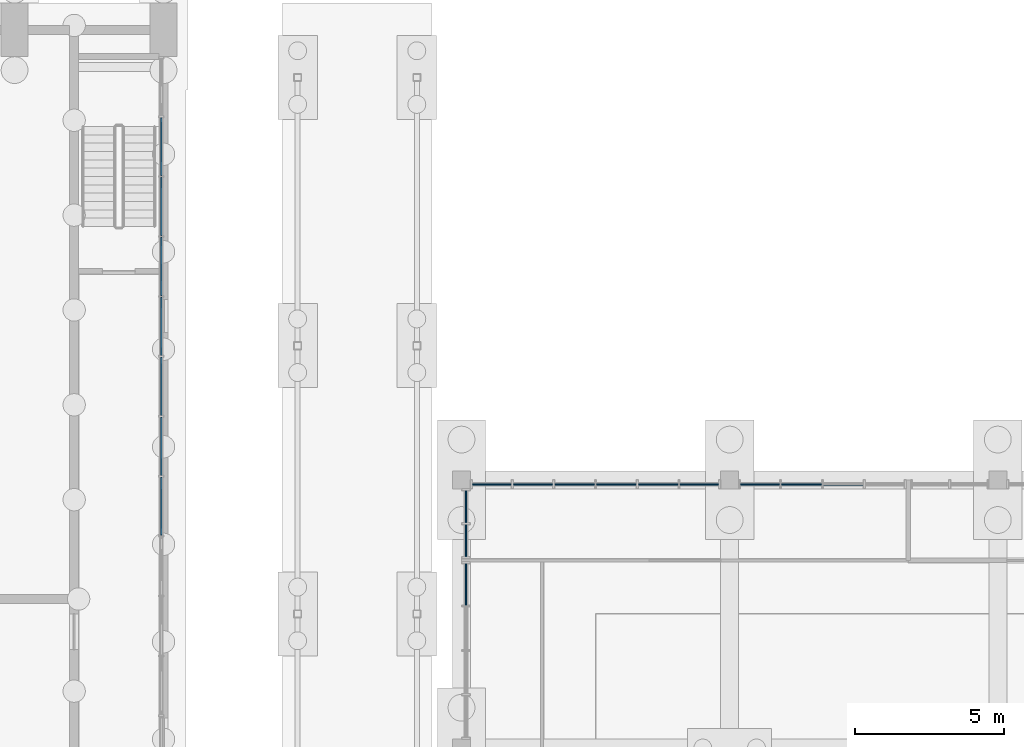
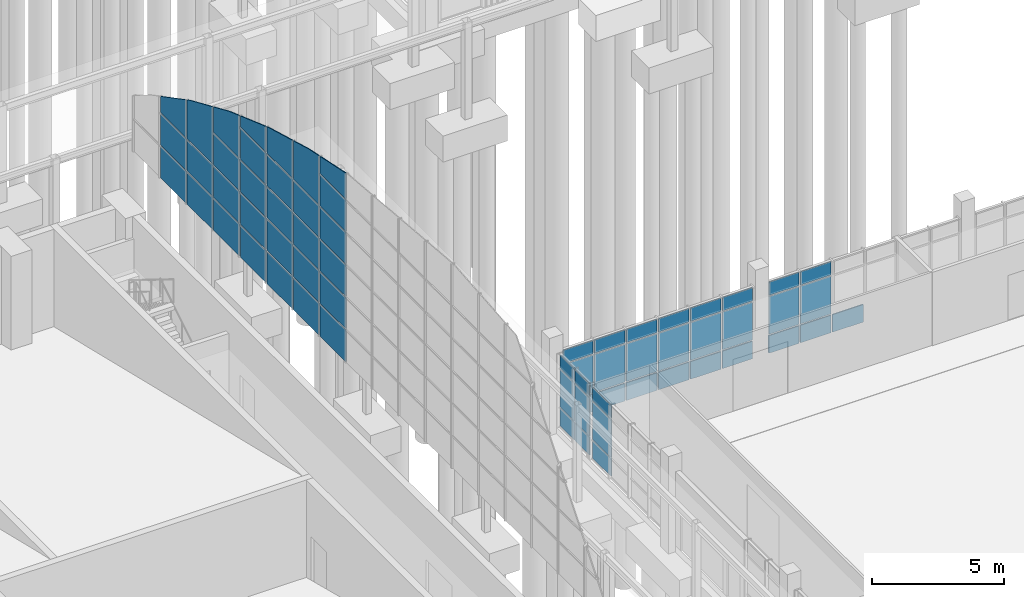
# One storey, part 56 of 106: 65 plates, 5 elements without a shape of their own.
"""IFC4 building model written with IfcOpenShell, lengths in metres."""

from ifc_helpers import new_model, si_unit, direction, frame, origin, origin_2d, place, context, subcontext, project, spatial, polyline, rectangle, outline, extrude, material, layer, layer_set, type_object, element, aggregate, save


model = new_model("IFC4")

# Units and contexts
model_context = context("Model", 3, precision=1e-05, world=origin(), true_north=direction((0.0, 1.0)))
body_context = subcontext(model_context, "Body", "Model", "MODEL_VIEW")
ifc_project = project(units=[si_unit("LENGTHUNIT", "METRE"), si_unit("AREAUNIT", "SQUARE_METRE"), si_unit("VOLUMEUNIT", "CUBIC_METRE"), si_unit("PLANEANGLEUNIT", "RADIAN"), si_unit("MASSUNIT", "GRAM", prefix="KILO")], contexts=[model_context])

# Site, building, storey
site_placement = place(None, origin())
site = spatial("IfcSite", under=ifc_project, at=site_placement, CompositionType="ELEMENT")
building_placement = place(site_placement, origin())
building = spatial("IfcBuilding", under=site, at=building_placement, Name="Merrow Basin Faculty of Sciences", CompositionType="ELEMENT")
storey_placement = place(building_placement, origin())
storey = spatial("IfcBuildingStorey", under=building, at=storey_placement, Name="L00", CompositionType="ELEMENT", Elevation=0.0)

# Curtain wall, plate
ifc_material_1 = material(Name="Aluminium alloy 6063", Category="aluminium")
curtain_wall_type_1 = type_object("IfcCurtainWallType", Name="Atrium concourse curtain wall 300", PredefinedType="NOTDEFINED", material=ifc_material_1)
curtain_wall_1_placement = place(storey_placement, origin())
curtain_wall_1 = element("IfcCurtainWall", 1, at=curtain_wall_1_placement, inside=storey, type_object=curtain_wall_type_1, Name="W curtain wall L00 4", PredefinedType="NOTDEFINED")
ifc_material_2 = material(Name="Insulated aluminium spandrel panel", Category="aluminium")
ifc_layer_1 = layer(ifc_material_2, 0.052001953125)
ifc_layer_set_1 = layer_set([ifc_layer_1], Name="Insulated spandrel panel 52")
plate_type_1 = type_object("IfcPlateType", Name="Insulated spandrel panel 52", PredefinedType="CURTAIN_PANEL", material=ifc_layer_set_1)
plate_1_placement = place(storey_placement, frame((45.14990234375, 32.4912109375, 0.06005859375), z_axis=(0.0, 0.0, 1.0), x_axis=(0.0, 1.0, 0.0)))
plate_1 = element("IfcPlate", 2, at=plate_1_placement, type_object=plate_type_1, Name="CW6 panel 4.1", PredefinedType="CURTAIN_PANEL", context=body_context, shape_type="SweptSolid", body=[
    extrude(rectangle(XDim=1.3974609375, YDim=0.052001953125, at=origin_2d()), origin(), (0.0, 0.0, 1.0), 0.81005859375),
])

# Curtain wall, plates
curtain_wall_2_placement = place(storey_placement, origin())
curtain_wall_2 = element("IfcCurtainWall", 3, at=curtain_wall_2_placement, inside=storey, type_object=curtain_wall_type_1, Name="W curtain wall L00 5", PredefinedType="NOTDEFINED")
plate_2_placement = place(storey_placement, frame((45.14990234375, 33.952392578125, 0.06005859375), z_axis=(0.0, 0.0, 1.0), x_axis=(0.0, 1.0, 0.0)))
plate_2 = element("IfcPlate", 4, at=plate_2_placement, type_object=plate_type_1, Name="CW6 panel 1.1", PredefinedType="CURTAIN_PANEL", context=body_context, shape_type="SweptSolid", body=[
    extrude(rectangle(XDim=1.0849609375, YDim=0.052001953125, at=origin_2d()), origin(), (0.0, 0.0, 1.0), 0.81005859375),
])
plate_3_placement = place(storey_placement, frame((45.14990234375, 35.097412109375, 0.06005859375), z_axis=(0.0, 0.0, 1.0), x_axis=(0.0, 1.0, 0.0)))
plate_3 = element("IfcPlate", 5, at=plate_3_placement, type_object=plate_type_1, Name="CW6 panel 2.1", PredefinedType="CURTAIN_PANEL", context=body_context, shape_type="SweptSolid", body=[
    extrude(rectangle(XDim=1.0849609375, YDim=0.052001953125, at=origin_2d()), origin(), (0.0, 0.0, 1.0), 0.81005859375),
])

curtain_wall_3_placement = place(storey_placement, origin())
curtain_wall_3 = element("IfcCurtainWall", 6, at=curtain_wall_3_placement, inside=storey, type_object=curtain_wall_type_1, Name="N curtain wall L00 1", PredefinedType="NOTDEFINED")
plate_4_placement = place(storey_placement, frame((46.014892578125, 35.85009765625, 0.06005859375), z_axis=(0.0, 0.0, 1.0), x_axis=(1.0, 0.0, 0.0)))
plate_4 = element("IfcPlate", 7, at=plate_4_placement, type_object=plate_type_1, Name="CW6 panel 1.1", PredefinedType="CURTAIN_PANEL", context=body_context, shape_type="SweptSolid", body=[
    extrude(rectangle(XDim=1.31005859375, YDim=0.052001953125, at=origin_2d()), origin(), (0.0, 0.0, 1.0), 0.81005859375),
])
plate_5_placement = place(storey_placement, frame((47.39990234375, 35.85009765625, 0.06005859375), z_axis=(0.0, 0.0, 1.0), x_axis=(1.0, 0.0, 0.0)))
plate_5 = element("IfcPlate", 8, at=plate_5_placement, type_object=plate_type_1, Name="CW6 panel 2.1", PredefinedType="CURTAIN_PANEL", context=body_context, shape_type="SweptSolid", body=[
    extrude(rectangle(XDim=1.340087890625, YDim=0.052001953125, at=origin_2d()), origin(), (0.0, 0.0, 1.0), 0.81005859375),
])
plate_6_placement = place(storey_placement, frame((48.800048828125, 35.85009765625, 0.06005859375), z_axis=(0.0, 0.0, 1.0), x_axis=(1.0, 0.0, 0.0)))
plate_6 = element("IfcPlate", 9, at=plate_6_placement, type_object=plate_type_1, Name="CW6 panel 3.1", PredefinedType="CURTAIN_PANEL", context=body_context, shape_type="SweptSolid", body=[
    extrude(rectangle(XDim=1.340087890625, YDim=0.052001953125, at=origin_2d()), origin(), (0.0, 0.0, 1.0), 0.81005859375),
])
plate_7_placement = place(storey_placement, frame((50.199951171875, 35.85009765625, 0.06005859375), z_axis=(0.0, 0.0, 1.0), x_axis=(1.0, 0.0, 0.0)))
plate_7 = element("IfcPlate", 10, at=plate_7_placement, type_object=plate_type_1, Name="CW6 panel 4.1", PredefinedType="CURTAIN_PANEL", context=body_context, shape_type="SweptSolid", body=[
    extrude(rectangle(XDim=1.340087890625, YDim=0.052001953125, at=origin_2d()), origin(), (0.0, 0.0, 1.0), 0.81005859375),
])
plate_8_placement = place(storey_placement, frame((51.60009765625, 35.85009765625, 0.06005859375), z_axis=(0.0, 0.0, 1.0), x_axis=(1.0, 0.0, 0.0)))
plate_8 = element("IfcPlate", 11, at=plate_8_placement, type_object=plate_type_1, Name="CW6 panel 5.1", PredefinedType="CURTAIN_PANEL", context=body_context, shape_type="SweptSolid", body=[
    extrude(rectangle(XDim=1.340087890625, YDim=0.052001953125, at=origin_2d()), origin(), (0.0, 0.0, 1.0), 0.81005859375),
])
plate_9_placement = place(storey_placement, frame((52.985107421875, 35.85009765625, 0.06005859375), z_axis=(0.0, 0.0, 1.0), x_axis=(1.0, 0.0, 0.0)))
plate_9 = element("IfcPlate", 12, at=plate_9_placement, type_object=plate_type_1, Name="CW6 panel 6.1", PredefinedType="CURTAIN_PANEL", context=body_context, shape_type="SweptSolid", body=[
    extrude(rectangle(XDim=1.31005859375, YDim=0.052001953125, at=origin_2d()), origin(), (0.0, 0.0, 1.0), 0.81005859375),
])

curtain_wall_4_placement = place(storey_placement, origin())
curtain_wall_4 = element("IfcCurtainWall", 13, at=curtain_wall_4_placement, inside=storey, type_object=curtain_wall_type_1, Name="N curtain wall L00 2", PredefinedType="NOTDEFINED")
plate_10_placement = place(storey_placement, frame((55.01806640625, 35.85009765625, 0.06005859375), z_axis=(0.0, 0.0, 1.0), x_axis=(1.0, 0.0, 0.0)))
plate_10 = element("IfcPlate", 14, at=plate_10_placement, type_object=plate_type_1, Name="CW6 panel 1.1", PredefinedType="CURTAIN_PANEL", context=body_context, shape_type="SweptSolid", body=[
    extrude(rectangle(XDim=1.316162109375, YDim=0.052001953125, at=origin_2d()), origin(), (0.0, 0.0, 1.0), 0.81005859375),
])
plate_11_placement = place(storey_placement, frame((56.409423828125, 35.85009765625, 0.06005859375), z_axis=(0.0, 0.0, 1.0), x_axis=(1.0, 0.0, 0.0)))
plate_11 = element("IfcPlate", 15, at=plate_11_placement, type_object=plate_type_1, Name="CW6 panel 2.1", PredefinedType="CURTAIN_PANEL", context=body_context, shape_type="SweptSolid", body=[
    extrude(rectangle(XDim=1.34619140625, YDim=0.052001953125, at=origin_2d()), origin(), (0.0, 0.0, 1.0), 0.81005859375),
])
plate_12_placement = place(storey_placement, frame((57.815673828125, 35.85009765625, 0.06005859375), z_axis=(0.0, 0.0, 1.0), x_axis=(1.0, 0.0, 0.0)))
plate_12 = element("IfcPlate", 16, at=plate_12_placement, type_object=plate_type_1, Name="CW6 panel 3.1", PredefinedType="CURTAIN_PANEL", context=body_context, shape_type="SweptSolid", body=[
    extrude(rectangle(XDim=1.34619140625, YDim=0.052001953125, at=origin_2d()), origin(), (0.0, 0.0, 1.0), 0.81005859375),
])

ifc_material_3 = material(Name="Aluminium alloy 6063", Category="aluminium")
curtain_wall_type_2 = type_object("IfcCurtainWallType", Name="Arched curtain wall 160", PredefinedType="NOTDEFINED", material=ifc_material_3)
curtain_wall_5_placement = place(storey_placement, origin())
curtain_wall_5 = element("IfcCurtainWall", 17, at=curtain_wall_5_placement, inside=storey, type_object=curtain_wall_type_2, Name="East gable glazing C", PredefinedType="NOTDEFINED")
ifc_material_4 = material(Name="Laminated safety glass", Category="glass")
ifc_layer_2 = layer(ifc_material_4, 0.0400390625)
ifc_layer_set_2 = layer_set([ifc_layer_2], Name="Laminated overhead glazing panel 40")
plate_type_2 = type_object("IfcPlateType", Name="Laminated overhead glazing panel 40", PredefinedType="CURTAIN_PANEL", material=ifc_layer_set_2)
plate_13_placement = place(storey_placement, frame((34.89990234375, 34.14111328125, 7.5), z_axis=(1.0, 0.0, 0.0), x_axis=(0.0, 1.0, 0.0)))
plate_13 = element("IfcPlate", 18, at=plate_13_placement, type_object=plate_type_2, Name="CW4 panel 11.1", PredefinedType="CURTAIN_PANEL", context=body_context, shape_type="SweptSolid", body=[
    extrude(outline(polyline([(0.0, 0.0), (1.949951171875, 0.0), (1.949951171875, 1.469970703125), (0.0, 1.469970703125), (0.0, 0.0)])), origin(), (0.0, 0.0, 1.0), 0.0400390625),
])
plate_14_placement = place(storey_placement, frame((34.89990234375, 34.14111328125, 9.030029296875), z_axis=(1.0, 0.0, 0.0), x_axis=(0.0, 1.0, 0.0)))
plate_14 = element("IfcPlate", 19, at=plate_14_placement, type_object=plate_type_2, Name="CW4 panel 11.2", PredefinedType="CURTAIN_PANEL", context=body_context, shape_type="SweptSolid", body=[
    extrude(outline(polyline([(0.0, 0.0), (1.949951171875, 0.0), (1.949951171875, 1.43994140625), (0.0, 1.43994140625), (0.0, 0.0)])), origin(), (0.0, 0.0, 1.0), 0.0400390625),
])
plate_15_placement = place(storey_placement, frame((34.89990234375, 34.14111328125, 10.530029296875), z_axis=(1.0, 0.0, 0.0), x_axis=(0.0, 1.0, 0.0)))
plate_15 = element("IfcPlate", 20, at=plate_15_placement, type_object=plate_type_2, Name="CW4 panel 11.3", PredefinedType="CURTAIN_PANEL", context=body_context, shape_type="SweptSolid", body=[
    extrude(outline(polyline([(0.0, 0.0), (1.949951171875, 0.0), (1.949951171875, 1.43994140625), (0.0, 1.43994140625), (0.0, 0.0)])), origin(), (0.0, 0.0, 1.0), 0.0400390625),
])
plate_16_placement = place(storey_placement, frame((34.89990234375, 34.14111328125, 12.030029296875), z_axis=(1.0, 0.0, 0.0), x_axis=(0.0, 1.0, 0.0)))
plate_16 = element("IfcPlate", 21, at=plate_16_placement, type_object=plate_type_2, Name="CW4 panel 11.4", PredefinedType="CURTAIN_PANEL", context=body_context, shape_type="SweptSolid", body=[
    extrude(outline(polyline([(0.0, 0.0), (1.949951171875, 0.0), (1.949951171875, 1.43994140625), (0.0, 1.43994140625), (0.0, 0.0)])), origin(), (0.0, 0.0, 1.0), 0.0400390625),
])
plate_17_placement = place(storey_placement, frame((34.89990234375, 34.14111328125, 13.530029296875), z_axis=(1.0, 0.0, 0.0), x_axis=(0.0, 1.0, 0.0)))
plate_17 = element("IfcPlate", 22, at=plate_17_placement, type_object=plate_type_2, Name="CW4 panel 11.5", PredefinedType="CURTAIN_PANEL", context=body_context, shape_type="SweptSolid", body=[
    extrude(outline(polyline([(0.0, 0.0), (1.949951171875, 0.0), (1.949951171875, 1.43994140625), (0.0, 1.43994140625), (0.0, 0.0)])), origin(), (0.0, 0.0, 1.0), 0.0400390625),
])
plate_18_placement = place(storey_placement, frame((34.89990234375, 34.14111328125, 15.030029296875), z_axis=(1.0, 0.0, 0.0), x_axis=(0.0, 1.0, 0.0)))
plate_18 = element("IfcPlate", 23, at=plate_18_placement, type_object=plate_type_2, Name="CW4 panel 11.top", PredefinedType="CURTAIN_PANEL", context=body_context, shape_type="SweptSolid", body=[
    extrude(outline(polyline([(0.0, 0.0), (1.950927734375, 0.0), (1.950927734375, 0.780029296875), (0.0, 1.18798828125), (0.0, 0.0)])), origin(), (0.0, 0.0, 1.0), 0.0400390625),
])
plate_19_placement = place(storey_placement, frame((34.89990234375, 36.152099609375, 7.5), z_axis=(1.0, 0.0, 0.0), x_axis=(0.0, 1.0, 0.0)))
plate_19 = element("IfcPlate", 24, at=plate_19_placement, type_object=plate_type_2, Name="CW4 panel 12.1", PredefinedType="CURTAIN_PANEL", context=body_context, shape_type="SweptSolid", body=[
    extrude(outline(polyline([(0.0, 0.0), (1.949951171875, 0.0), (1.949951171875, 1.469970703125), (0.0, 1.469970703125), (0.0, 0.0)])), origin(), (0.0, 0.0, 1.0), 0.0400390625),
])
plate_20_placement = place(storey_placement, frame((34.89990234375, 36.152099609375, 9.030029296875), z_axis=(1.0, 0.0, 0.0), x_axis=(0.0, 1.0, 0.0)))
plate_20 = element("IfcPlate", 25, at=plate_20_placement, type_object=plate_type_2, Name="CW4 panel 12.2", PredefinedType="CURTAIN_PANEL", context=body_context, shape_type="SweptSolid", body=[
    extrude(outline(polyline([(0.0, 0.0), (1.949951171875, 0.0), (1.949951171875, 1.43994140625), (0.0, 1.43994140625), (0.0, 0.0)])), origin(), (0.0, 0.0, 1.0), 0.0400390625),
])
plate_21_placement = place(storey_placement, frame((34.89990234375, 36.152099609375, 10.530029296875), z_axis=(1.0, 0.0, 0.0), x_axis=(0.0, 1.0, 0.0)))
plate_21 = element("IfcPlate", 26, at=plate_21_placement, type_object=plate_type_2, Name="CW4 panel 12.3", PredefinedType="CURTAIN_PANEL", context=body_context, shape_type="SweptSolid", body=[
    extrude(outline(polyline([(0.0, 0.0), (1.949951171875, 0.0), (1.949951171875, 1.43994140625), (0.0, 1.43994140625), (0.0, 0.0)])), origin(), (0.0, 0.0, 1.0), 0.0400390625),
])
plate_22_placement = place(storey_placement, frame((34.89990234375, 36.152099609375, 12.030029296875), z_axis=(1.0, 0.0, 0.0), x_axis=(0.0, 1.0, 0.0)))
plate_22 = element("IfcPlate", 27, at=plate_22_placement, type_object=plate_type_2, Name="CW4 panel 12.4", PredefinedType="CURTAIN_PANEL", context=body_context, shape_type="SweptSolid", body=[
    extrude(outline(polyline([(0.0, 0.0), (1.949951171875, 0.0), (1.949951171875, 1.43994140625), (0.0, 1.43994140625), (0.0, 0.0)])), origin(), (0.0, 0.0, 1.0), 0.0400390625),
])
plate_23_placement = place(storey_placement, frame((34.89990234375, 36.152099609375, 13.530029296875), z_axis=(1.0, 0.0, 0.0), x_axis=(0.0, 1.0, 0.0)))
plate_23 = element("IfcPlate", 28, at=plate_23_placement, type_object=plate_type_2, Name="CW4 panel 12.top", PredefinedType="CURTAIN_PANEL", context=body_context, shape_type="SweptSolid", body=[
    extrude(outline(polyline([(0.0, 0.0), (1.950927734375, 0.0), (1.950927734375, 1.779052734375), (0.81201171875, 2.097900390625), (0.0, 2.26806640625), (0.0, 0.0)])), origin(), (0.0, 0.0, 1.0), 0.0400390625),
])
plate_24_placement = place(storey_placement, frame((34.89990234375, 38.1630859375, 7.5), z_axis=(1.0, 0.0, 0.0), x_axis=(0.0, 1.0, 0.0)))
plate_24 = element("IfcPlate", 29, at=plate_24_placement, type_object=plate_type_2, Name="CW4 panel 13.1", PredefinedType="CURTAIN_PANEL", context=body_context, shape_type="SweptSolid", body=[
    extrude(outline(polyline([(0.0, 0.0), (1.949951171875, 0.0), (1.949951171875, 1.469970703125), (0.0, 1.469970703125), (0.0, 0.0)])), origin(), (0.0, 0.0, 1.0), 0.0400390625),
])
plate_25_placement = place(storey_placement, frame((34.89990234375, 38.1630859375, 9.030029296875), z_axis=(1.0, 0.0, 0.0), x_axis=(0.0, 1.0, 0.0)))
plate_25 = element("IfcPlate", 30, at=plate_25_placement, type_object=plate_type_2, Name="CW4 panel 13.2", PredefinedType="CURTAIN_PANEL", context=body_context, shape_type="SweptSolid", body=[
    extrude(outline(polyline([(0.0, 0.0), (1.949951171875, 0.0), (1.949951171875, 1.43994140625), (0.0, 1.43994140625), (0.0, 0.0)])), origin(), (0.0, 0.0, 1.0), 0.0400390625),
])
plate_26_placement = place(storey_placement, frame((34.89990234375, 38.1630859375, 10.530029296875), z_axis=(1.0, 0.0, 0.0), x_axis=(0.0, 1.0, 0.0)))
plate_26 = element("IfcPlate", 31, at=plate_26_placement, type_object=plate_type_2, Name="CW4 panel 13.3", PredefinedType="CURTAIN_PANEL", context=body_context, shape_type="SweptSolid", body=[
    extrude(outline(polyline([(0.0, 0.0), (1.949951171875, 0.0), (1.949951171875, 1.43994140625), (0.0, 1.43994140625), (0.0, 0.0)])), origin(), (0.0, 0.0, 1.0), 0.0400390625),
])
plate_27_placement = place(storey_placement, frame((34.89990234375, 38.1630859375, 12.030029296875), z_axis=(1.0, 0.0, 0.0), x_axis=(0.0, 1.0, 0.0)))
plate_27 = element("IfcPlate", 32, at=plate_27_placement, type_object=plate_type_2, Name="CW4 panel 13.4", PredefinedType="CURTAIN_PANEL", context=body_context, shape_type="SweptSolid", body=[
    extrude(outline(polyline([(0.0, 0.0), (1.949951171875, 0.0), (1.949951171875, 1.43994140625), (0.0, 1.43994140625), (0.0, 0.0)])), origin(), (0.0, 0.0, 1.0), 0.0400390625),
])
plate_28_placement = place(storey_placement, frame((34.89990234375, 38.1630859375, 13.530029296875), z_axis=(1.0, 0.0, 0.0), x_axis=(0.0, 1.0, 0.0)))
plate_28 = element("IfcPlate", 33, at=plate_28_placement, type_object=plate_type_2, Name="CW4 panel 13.top", PredefinedType="CURTAIN_PANEL", context=body_context, shape_type="SweptSolid", body=[
    extrude(outline(polyline([(0.0, 0.0), (1.950927734375, 0.0), (1.950927734375, 1.2041015625), (1.791015625, 1.260986328125), (0.0, 1.761962890625), (0.0, 0.0)])), origin(), (0.0, 0.0, 1.0), 0.0400390625),
])
plate_29_placement = place(storey_placement, frame((34.89990234375, 40.174072265625, 7.5), z_axis=(1.0, 0.0, 0.0), x_axis=(0.0, 1.0, 0.0)))
plate_29 = element("IfcPlate", 34, at=plate_29_placement, type_object=plate_type_2, Name="CW4 panel 14.1", PredefinedType="CURTAIN_PANEL", context=body_context, shape_type="SweptSolid", body=[
    extrude(outline(polyline([(0.0, 0.0), (1.949951171875, 0.0), (1.949951171875, 1.469970703125), (0.0, 1.469970703125), (0.0, 0.0)])), origin(), (0.0, 0.0, 1.0), 0.0400390625),
])
plate_30_placement = place(storey_placement, frame((34.89990234375, 40.174072265625, 9.030029296875), z_axis=(1.0, 0.0, 0.0), x_axis=(0.0, 1.0, 0.0)))
plate_30 = element("IfcPlate", 35, at=plate_30_placement, type_object=plate_type_2, Name="CW4 panel 14.2", PredefinedType="CURTAIN_PANEL", context=body_context, shape_type="SweptSolid", body=[
    extrude(outline(polyline([(0.0, 0.0), (1.949951171875, 0.0), (1.949951171875, 1.43994140625), (0.0, 1.43994140625), (0.0, 0.0)])), origin(), (0.0, 0.0, 1.0), 0.0400390625),
])
plate_31_placement = place(storey_placement, frame((34.89990234375, 40.174072265625, 10.530029296875), z_axis=(1.0, 0.0, 0.0), x_axis=(0.0, 1.0, 0.0)))
plate_31 = element("IfcPlate", 36, at=plate_31_placement, type_object=plate_type_2, Name="CW4 panel 14.3", PredefinedType="CURTAIN_PANEL", context=body_context, shape_type="SweptSolid", body=[
    extrude(outline(polyline([(0.0, 0.0), (1.949951171875, 0.0), (1.949951171875, 1.43994140625), (0.0, 1.43994140625), (0.0, 0.0)])), origin(), (0.0, 0.0, 1.0), 0.0400390625),
])
plate_32_placement = place(storey_placement, frame((34.89990234375, 40.174072265625, 12.030029296875), z_axis=(1.0, 0.0, 0.0), x_axis=(0.0, 1.0, 0.0)))
plate_32 = element("IfcPlate", 37, at=plate_32_placement, type_object=plate_type_2, Name="CW4 panel 14.4", PredefinedType="CURTAIN_PANEL", context=body_context, shape_type="SweptSolid", body=[
    extrude(outline(polyline([(0.0, 0.0), (1.949951171875, 0.0), (1.949951171875, 1.43994140625), (0.0, 1.43994140625), (0.0, 0.0)])), origin(), (0.0, 0.0, 1.0), 0.0400390625),
])
plate_33_placement = place(storey_placement, frame((34.89990234375, 40.174072265625, 13.530029296875), z_axis=(1.0, 0.0, 0.0), x_axis=(0.0, 1.0, 0.0)))
plate_33 = element("IfcPlate", 38, at=plate_33_placement, type_object=plate_type_2, Name="CW4 panel 14.top", PredefinedType="CURTAIN_PANEL", context=body_context, shape_type="SweptSolid", body=[
    extrude(outline(polyline([(0.0, 0.0), (1.950927734375, 0.0), (1.950927734375, 0.490966796875), (0.0, 1.18310546875), (0.0, 0.0)])), origin(), (0.0, 0.0, 1.0), 0.0400390625),
])
plate_34_placement = place(storey_placement, frame((34.89990234375, 42.18603515625, 7.5), z_axis=(1.0, 0.0, 0.0), x_axis=(0.0, 1.0, 0.0)))
plate_34 = element("IfcPlate", 39, at=plate_34_placement, type_object=plate_type_2, Name="CW4 panel 15.1", PredefinedType="CURTAIN_PANEL", context=body_context, shape_type="SweptSolid", body=[
    extrude(outline(polyline([(0.0, 0.0), (1.949951171875, 0.0), (1.949951171875, 1.469970703125), (0.0, 1.469970703125), (0.0, 0.0)])), origin(), (0.0, 0.0, 1.0), 0.0400390625),
])
plate_35_placement = place(storey_placement, frame((34.89990234375, 42.18603515625, 9.030029296875), z_axis=(1.0, 0.0, 0.0), x_axis=(0.0, 1.0, 0.0)))
plate_35 = element("IfcPlate", 40, at=plate_35_placement, type_object=plate_type_2, Name="CW4 panel 15.2", PredefinedType="CURTAIN_PANEL", context=body_context, shape_type="SweptSolid", body=[
    extrude(outline(polyline([(0.0, 0.0), (1.949951171875, 0.0), (1.949951171875, 1.43994140625), (0.0, 1.43994140625), (0.0, 0.0)])), origin(), (0.0, 0.0, 1.0), 0.0400390625),
])
plate_36_placement = place(storey_placement, frame((34.89990234375, 42.18603515625, 10.530029296875), z_axis=(1.0, 0.0, 0.0), x_axis=(0.0, 1.0, 0.0)))
plate_36 = element("IfcPlate", 41, at=plate_36_placement, type_object=plate_type_2, Name="CW4 panel 15.3", PredefinedType="CURTAIN_PANEL", context=body_context, shape_type="SweptSolid", body=[
    extrude(outline(polyline([(0.0, 0.0), (1.949951171875, 0.0), (1.949951171875, 1.43994140625), (0.0, 1.43994140625), (0.0, 0.0)])), origin(), (0.0, 0.0, 1.0), 0.0400390625),
])
plate_37_placement = place(storey_placement, frame((34.89990234375, 42.18603515625, 12.030029296875), z_axis=(1.0, 0.0, 0.0), x_axis=(0.0, 1.0, 0.0)))
plate_37 = element("IfcPlate", 42, at=plate_37_placement, type_object=plate_type_2, Name="CW4 panel 15.top", PredefinedType="CURTAIN_PANEL", context=body_context, shape_type="SweptSolid", body=[
    extrude(outline(polyline([(0.0, 0.0), (1.950927734375, 0.0), (1.950927734375, 1.181884765625), (0.759033203125, 1.699951171875), (0.0, 1.968994140625), (0.0, 0.0)])), origin(), (0.0, 0.0, 1.0), 0.0400390625),
])
plate_38_placement = place(storey_placement, frame((34.89990234375, 44.197021484375, 7.5), z_axis=(1.0, 0.0, 0.0), x_axis=(0.0, 1.0, 0.0)))
plate_38 = element("IfcPlate", 43, at=plate_38_placement, type_object=plate_type_2, Name="CW4 panel 16.1", PredefinedType="CURTAIN_PANEL", context=body_context, shape_type="SweptSolid", body=[
    extrude(outline(polyline([(0.0, 0.0), (1.949951171875, 0.0), (1.949951171875, 1.469970703125), (0.0, 1.469970703125), (0.0, 0.0)])), origin(), (0.0, 0.0, 1.0), 0.0400390625),
])
plate_39_placement = place(storey_placement, frame((34.89990234375, 44.197021484375, 9.030029296875), z_axis=(1.0, 0.0, 0.0), x_axis=(0.0, 1.0, 0.0)))
plate_39 = element("IfcPlate", 44, at=plate_39_placement, type_object=plate_type_2, Name="CW4 panel 16.2", PredefinedType="CURTAIN_PANEL", context=body_context, shape_type="SweptSolid", body=[
    extrude(outline(polyline([(0.0, 0.0), (1.949951171875, 0.0), (1.949951171875, 1.43994140625), (0.0, 1.43994140625), (0.0, 0.0)])), origin(), (0.0, 0.0, 1.0), 0.0400390625),
])
plate_40_placement = place(storey_placement, frame((34.89990234375, 44.197021484375, 10.530029296875), z_axis=(1.0, 0.0, 0.0), x_axis=(0.0, 1.0, 0.0)))
plate_40 = element("IfcPlate", 45, at=plate_40_placement, type_object=plate_type_2, Name="CW4 panel 16.top", PredefinedType="CURTAIN_PANEL", context=body_context, shape_type="SweptSolid", body=[
    extrude(outline(polyline([(0.0, 0.0), (1.950927734375, 0.0), (1.950927734375, 1.7880859375), (1.739013671875, 1.89892578125), (0.0, 2.655029296875), (0.0, 0.0)])), origin(), (0.0, 0.0, 1.0), 0.0400390625),
])
plate_41_placement = place(storey_placement, frame((34.89990234375, 46.2080078125, 7.5), z_axis=(1.0, 0.0, 0.0), x_axis=(0.0, 1.0, 0.0)))
plate_41 = element("IfcPlate", 46, at=plate_41_placement, type_object=plate_type_2, Name="CW4 panel 17.1", PredefinedType="CURTAIN_PANEL", context=body_context, shape_type="SweptSolid", body=[
    extrude(outline(polyline([(0.0, 0.0), (1.949951171875, 0.0), (1.949951171875, 1.469970703125), (0.0, 1.469970703125), (0.0, 0.0)])), origin(), (0.0, 0.0, 1.0), 0.0400390625),
])
plate_42_placement = place(storey_placement, frame((34.89990234375, 46.2080078125, 9.030029296875), z_axis=(1.0, 0.0, 0.0), x_axis=(0.0, 1.0, 0.0)))
plate_42 = element("IfcPlate", 47, at=plate_42_placement, type_object=plate_type_2, Name="CW4 panel 17.2", PredefinedType="CURTAIN_PANEL", context=body_context, shape_type="SweptSolid", body=[
    extrude(outline(polyline([(0.0, 0.0), (1.949951171875, 0.0), (1.949951171875, 1.43994140625), (0.0, 1.43994140625), (0.0, 0.0)])), origin(), (0.0, 0.0, 1.0), 0.0400390625),
])
plate_43_placement = place(storey_placement, frame((34.89990234375, 46.2080078125, 10.530029296875), z_axis=(1.0, 0.0, 0.0), x_axis=(0.0, 1.0, 0.0)))
plate_43 = element("IfcPlate", 48, at=plate_43_placement, type_object=plate_type_2, Name="CW4 panel 17.top", PredefinedType="CURTAIN_PANEL", context=body_context, shape_type="SweptSolid", body=[
    extrude(outline(polyline([(0.0, 0.0), (1.950927734375, 0.0), (1.950927734375, 0.735107421875), (0.0, 1.756103515625), (0.0, 0.0)])), origin(), (0.0, 0.0, 1.0), 0.0400390625),
])
aggregate(curtain_wall_5, [plate_13, plate_14, plate_15, plate_16, plate_17, plate_18, plate_19, plate_20, plate_21, plate_22, plate_23, plate_24, plate_25, plate_26, plate_27, plate_28, plate_29, plate_30, plate_31, plate_32, plate_33, plate_34, plate_35, plate_36, plate_37, plate_38, plate_39, plate_40, plate_41, plate_42, plate_43])

# Plate
ifc_material_5 = material(Name="Low-E triple glazing", Category="glass")
ifc_layer_3 = layer(ifc_material_5, 0.0439453125)
ifc_layer_set_3 = layer_set([ifc_layer_3], Name="Triple glazed panel 44")
plate_type_3 = type_object("IfcPlateType", Name="Triple glazed panel 44", PredefinedType="CURTAIN_PANEL", material=ifc_layer_set_3)
plate_44_placement = place(storey_placement, frame((45.14990234375, 32.4912109375, 0.93017578125), z_axis=(0.0, 0.0, 1.0), x_axis=(0.0, 1.0, 0.0)))
plate_44 = element("IfcPlate", 49, at=plate_44_placement, type_object=plate_type_3, Name="CW6 panel 4.2", PredefinedType="CURTAIN_PANEL", context=body_context, shape_type="SweptSolid", body=[
    extrude(rectangle(XDim=1.3974609375, YDim=0.0439453125, at=origin_2d()), origin(), (0.0, 0.0, 1.0), 1.739990234375),
])

plate_45_placement = place(storey_placement, frame((45.14990234375, 32.4912109375, 2.72998046875), z_axis=(0.0, 0.0, 1.0), x_axis=(0.0, 1.0, 0.0)))
plate_45 = element("IfcPlate", 50, at=plate_45_placement, type_object=plate_type_3, Name="CW6 panel 4.3", PredefinedType="CURTAIN_PANEL", context=body_context, shape_type="SweptSolid", body=[
    extrude(rectangle(XDim=1.3974609375, YDim=0.0439453125, at=origin_2d()), origin(), (0.0, 0.0, 1.0), 0.610107421875),
])

aggregate(curtain_wall_1, [plate_1, plate_44, plate_45])

plate_46_placement = place(storey_placement, frame((45.14990234375, 33.952392578125, 0.93017578125), z_axis=(0.0, 0.0, 1.0), x_axis=(0.0, 1.0, 0.0)))
plate_46 = element("IfcPlate", 51, at=plate_46_placement, type_object=plate_type_3, Name="CW6 panel 1.2", PredefinedType="CURTAIN_PANEL", context=body_context, shape_type="SweptSolid", body=[
    extrude(rectangle(XDim=1.0849609375, YDim=0.0439453125, at=origin_2d()), origin(), (0.0, 0.0, 1.0), 1.739990234375),
])

plate_47_placement = place(storey_placement, frame((45.14990234375, 33.952392578125, 2.72998046875), z_axis=(0.0, 0.0, 1.0), x_axis=(0.0, 1.0, 0.0)))
plate_47 = element("IfcPlate", 52, at=plate_47_placement, type_object=plate_type_3, Name="CW6 panel 1.3", PredefinedType="CURTAIN_PANEL", context=body_context, shape_type="SweptSolid", body=[
    extrude(rectangle(XDim=1.0849609375, YDim=0.0439453125, at=origin_2d()), origin(), (0.0, 0.0, 1.0), 0.610107421875),
])

plate_48_placement = place(storey_placement, frame((45.14990234375, 35.097412109375, 0.93017578125), z_axis=(0.0, 0.0, 1.0), x_axis=(0.0, 1.0, 0.0)))
plate_48 = element("IfcPlate", 53, at=plate_48_placement, type_object=plate_type_3, Name="CW6 panel 2.2", PredefinedType="CURTAIN_PANEL", context=body_context, shape_type="SweptSolid", body=[
    extrude(rectangle(XDim=1.0849609375, YDim=0.0439453125, at=origin_2d()), origin(), (0.0, 0.0, 1.0), 1.739990234375),
])

plate_49_placement = place(storey_placement, frame((45.14990234375, 35.097412109375, 2.72998046875), z_axis=(0.0, 0.0, 1.0), x_axis=(0.0, 1.0, 0.0)))
plate_49 = element("IfcPlate", 54, at=plate_49_placement, type_object=plate_type_3, Name="CW6 panel 2.3", PredefinedType="CURTAIN_PANEL", context=body_context, shape_type="SweptSolid", body=[
    extrude(rectangle(XDim=1.0849609375, YDim=0.0439453125, at=origin_2d()), origin(), (0.0, 0.0, 1.0), 0.610107421875),
])

aggregate(curtain_wall_2, [plate_2, plate_46, plate_47, plate_3, plate_48, plate_49])

plate_50_placement = place(storey_placement, frame((46.014892578125, 35.85009765625, 0.93017578125), z_axis=(0.0, 0.0, 1.0), x_axis=(1.0, 0.0, 0.0)))
plate_50 = element("IfcPlate", 55, at=plate_50_placement, type_object=plate_type_3, Name="CW6 panel 1.2", PredefinedType="CURTAIN_PANEL", context=body_context, shape_type="SweptSolid", body=[
    extrude(rectangle(XDim=1.31005859375, YDim=0.0439453125, at=origin_2d()), origin(), (0.0, 0.0, 1.0), 1.739990234375),
])

plate_51_placement = place(storey_placement, frame((46.014892578125, 35.85009765625, 2.72998046875), z_axis=(0.0, 0.0, 1.0), x_axis=(1.0, 0.0, 0.0)))
plate_51 = element("IfcPlate", 56, at=plate_51_placement, type_object=plate_type_3, Name="CW6 panel 1.3", PredefinedType="CURTAIN_PANEL", context=body_context, shape_type="SweptSolid", body=[
    extrude(rectangle(XDim=1.31005859375, YDim=0.0439453125, at=origin_2d()), origin(), (0.0, 0.0, 1.0), 0.610107421875),
])

plate_52_placement = place(storey_placement, frame((47.39990234375, 35.85009765625, 0.93017578125), z_axis=(0.0, 0.0, 1.0), x_axis=(1.0, 0.0, 0.0)))
plate_52 = element("IfcPlate", 57, at=plate_52_placement, type_object=plate_type_3, Name="CW6 panel 2.2", PredefinedType="CURTAIN_PANEL", context=body_context, shape_type="SweptSolid", body=[
    extrude(rectangle(XDim=1.340087890625, YDim=0.0439453125, at=origin_2d()), origin(), (0.0, 0.0, 1.0), 1.739990234375),
])

plate_53_placement = place(storey_placement, frame((47.39990234375, 35.85009765625, 2.72998046875), z_axis=(0.0, 0.0, 1.0), x_axis=(1.0, 0.0, 0.0)))
plate_53 = element("IfcPlate", 58, at=plate_53_placement, type_object=plate_type_3, Name="CW6 panel 2.3", PredefinedType="CURTAIN_PANEL", context=body_context, shape_type="SweptSolid", body=[
    extrude(rectangle(XDim=1.340087890625, YDim=0.0439453125, at=origin_2d()), origin(), (0.0, 0.0, 1.0), 0.610107421875),
])

plate_54_placement = place(storey_placement, frame((48.800048828125, 35.85009765625, 0.93017578125), z_axis=(0.0, 0.0, 1.0), x_axis=(1.0, 0.0, 0.0)))
plate_54 = element("IfcPlate", 59, at=plate_54_placement, type_object=plate_type_3, Name="CW6 panel 3.2", PredefinedType="CURTAIN_PANEL", context=body_context, shape_type="SweptSolid", body=[
    extrude(rectangle(XDim=1.340087890625, YDim=0.0439453125, at=origin_2d()), origin(), (0.0, 0.0, 1.0), 1.739990234375),
])

plate_55_placement = place(storey_placement, frame((48.800048828125, 35.85009765625, 2.72998046875), z_axis=(0.0, 0.0, 1.0), x_axis=(1.0, 0.0, 0.0)))
plate_55 = element("IfcPlate", 60, at=plate_55_placement, type_object=plate_type_3, Name="CW6 panel 3.3", PredefinedType="CURTAIN_PANEL", context=body_context, shape_type="SweptSolid", body=[
    extrude(rectangle(XDim=1.340087890625, YDim=0.0439453125, at=origin_2d()), origin(), (0.0, 0.0, 1.0), 0.610107421875),
])

plate_56_placement = place(storey_placement, frame((50.199951171875, 35.85009765625, 0.93017578125), z_axis=(0.0, 0.0, 1.0), x_axis=(1.0, 0.0, 0.0)))
plate_56 = element("IfcPlate", 61, at=plate_56_placement, type_object=plate_type_3, Name="CW6 panel 4.2", PredefinedType="CURTAIN_PANEL", context=body_context, shape_type="SweptSolid", body=[
    extrude(rectangle(XDim=1.340087890625, YDim=0.0439453125, at=origin_2d()), origin(), (0.0, 0.0, 1.0), 1.739990234375),
])

plate_57_placement = place(storey_placement, frame((50.199951171875, 35.85009765625, 2.72998046875), z_axis=(0.0, 0.0, 1.0), x_axis=(1.0, 0.0, 0.0)))
plate_57 = element("IfcPlate", 62, at=plate_57_placement, type_object=plate_type_3, Name="CW6 panel 4.3", PredefinedType="CURTAIN_PANEL", context=body_context, shape_type="SweptSolid", body=[
    extrude(rectangle(XDim=1.340087890625, YDim=0.0439453125, at=origin_2d()), origin(), (0.0, 0.0, 1.0), 0.610107421875),
])

plate_58_placement = place(storey_placement, frame((51.60009765625, 35.85009765625, 0.93017578125), z_axis=(0.0, 0.0, 1.0), x_axis=(1.0, 0.0, 0.0)))
plate_58 = element("IfcPlate", 63, at=plate_58_placement, type_object=plate_type_3, Name="CW6 panel 5.2", PredefinedType="CURTAIN_PANEL", context=body_context, shape_type="SweptSolid", body=[
    extrude(rectangle(XDim=1.340087890625, YDim=0.0439453125, at=origin_2d()), origin(), (0.0, 0.0, 1.0), 1.739990234375),
])

plate_59_placement = place(storey_placement, frame((51.60009765625, 35.85009765625, 2.72998046875), z_axis=(0.0, 0.0, 1.0), x_axis=(1.0, 0.0, 0.0)))
plate_59 = element("IfcPlate", 64, at=plate_59_placement, type_object=plate_type_3, Name="CW6 panel 5.3", PredefinedType="CURTAIN_PANEL", context=body_context, shape_type="SweptSolid", body=[
    extrude(rectangle(XDim=1.340087890625, YDim=0.0439453125, at=origin_2d()), origin(), (0.0, 0.0, 1.0), 0.610107421875),
])

plate_60_placement = place(storey_placement, frame((52.985107421875, 35.85009765625, 0.93017578125), z_axis=(0.0, 0.0, 1.0), x_axis=(1.0, 0.0, 0.0)))
plate_60 = element("IfcPlate", 65, at=plate_60_placement, type_object=plate_type_3, Name="CW6 panel 6.2", PredefinedType="CURTAIN_PANEL", context=body_context, shape_type="SweptSolid", body=[
    extrude(rectangle(XDim=1.31005859375, YDim=0.0439453125, at=origin_2d()), origin(), (0.0, 0.0, 1.0), 1.739990234375),
])

plate_61_placement = place(storey_placement, frame((52.985107421875, 35.85009765625, 2.72998046875), z_axis=(0.0, 0.0, 1.0), x_axis=(1.0, 0.0, 0.0)))
plate_61 = element("IfcPlate", 66, at=plate_61_placement, type_object=plate_type_3, Name="CW6 panel 6.3", PredefinedType="CURTAIN_PANEL", context=body_context, shape_type="SweptSolid", body=[
    extrude(rectangle(XDim=1.31005859375, YDim=0.0439453125, at=origin_2d()), origin(), (0.0, 0.0, 1.0), 0.610107421875),
])

aggregate(curtain_wall_3, [plate_4, plate_50, plate_51, plate_5, plate_52, plate_53, plate_6, plate_54, plate_55, plate_7, plate_56, plate_57, plate_8, plate_58, plate_59, plate_9, plate_60, plate_61])

plate_62_placement = place(storey_placement, frame((55.01806640625, 35.85009765625, 0.93017578125), z_axis=(0.0, 0.0, 1.0), x_axis=(1.0, 0.0, 0.0)))
plate_62 = element("IfcPlate", 67, at=plate_62_placement, type_object=plate_type_3, Name="CW6 panel 1.2", PredefinedType="CURTAIN_PANEL", context=body_context, shape_type="SweptSolid", body=[
    extrude(rectangle(XDim=1.316162109375, YDim=0.0439453125, at=origin_2d()), origin(), (0.0, 0.0, 1.0), 1.739990234375),
])

plate_63_placement = place(storey_placement, frame((55.01806640625, 35.85009765625, 2.72998046875), z_axis=(0.0, 0.0, 1.0), x_axis=(1.0, 0.0, 0.0)))
plate_63 = element("IfcPlate", 68, at=plate_63_placement, type_object=plate_type_3, Name="CW6 panel 1.3", PredefinedType="CURTAIN_PANEL", context=body_context, shape_type="SweptSolid", body=[
    extrude(rectangle(XDim=1.316162109375, YDim=0.0439453125, at=origin_2d()), origin(), (0.0, 0.0, 1.0), 0.610107421875),
])

plate_64_placement = place(storey_placement, frame((56.409423828125, 35.85009765625, 0.93017578125), z_axis=(0.0, 0.0, 1.0), x_axis=(1.0, 0.0, 0.0)))
plate_64 = element("IfcPlate", 69, at=plate_64_placement, type_object=plate_type_3, Name="CW6 panel 2.2", PredefinedType="CURTAIN_PANEL", context=body_context, shape_type="SweptSolid", body=[
    extrude(rectangle(XDim=1.34619140625, YDim=0.0439453125, at=origin_2d()), origin(), (0.0, 0.0, 1.0), 1.739990234375),
])

plate_65_placement = place(storey_placement, frame((56.409423828125, 35.85009765625, 2.72998046875), z_axis=(0.0, 0.0, 1.0), x_axis=(1.0, 0.0, 0.0)))
plate_65 = element("IfcPlate", 70, at=plate_65_placement, type_object=plate_type_3, Name="CW6 panel 2.3", PredefinedType="CURTAIN_PANEL", context=body_context, shape_type="SweptSolid", body=[
    extrude(rectangle(XDim=1.34619140625, YDim=0.0439453125, at=origin_2d()), origin(), (0.0, 0.0, 1.0), 0.610107421875),
])

aggregate(curtain_wall_4, [plate_10, plate_62, plate_63, plate_11, plate_64, plate_65, plate_12])

save(model, "model.ifc")
